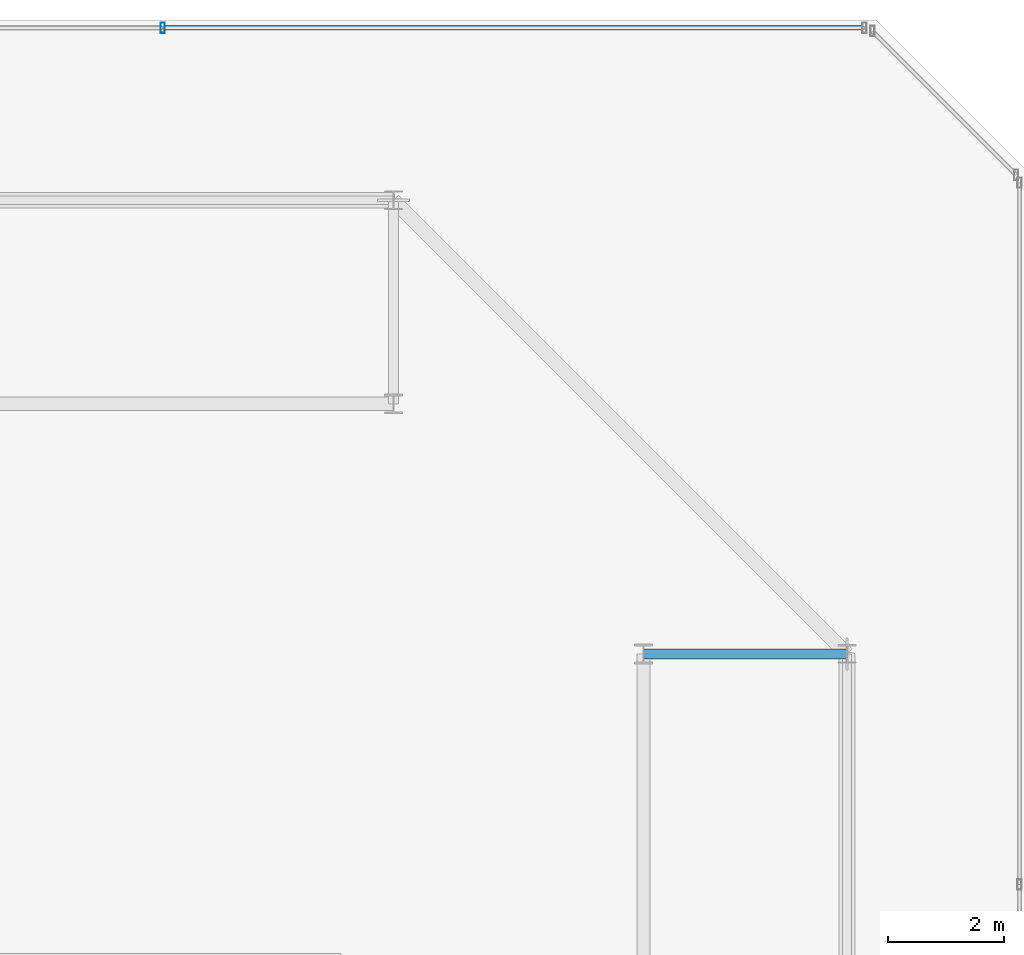
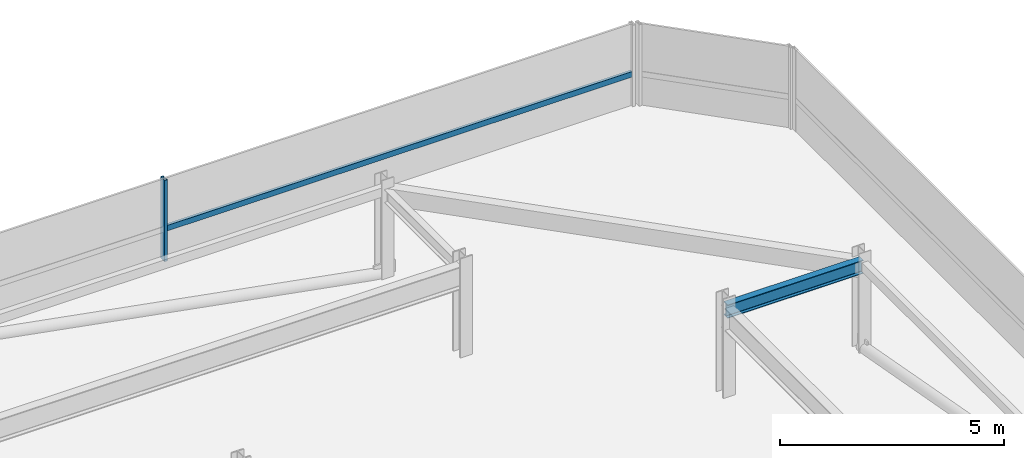
# One storey, part 35 of 42: 2 members, 1 beam, 1 element without a shape of its own.
"""IFC4 building model written with IfcOpenShell, lengths in metres."""

from ifc_helpers import new_model, si_unit, direction, frame, origin, origin_2d, place, context, subcontext, project, spatial, hollow_rectangle, i_section, extrude, material, material_profile, profile_set, type_object, element, aggregate, save


model = new_model("IFC4")

# Units and contexts
model_context = context("Model", 3, precision=1e-05, world=origin(), true_north=direction((0.0, 1.0)))
body_context = subcontext(model_context, "Body", "Model", "MODEL_VIEW")
ifc_project = project(units=[si_unit("LENGTHUNIT", "METRE"), si_unit("AREAUNIT", "SQUARE_METRE"), si_unit("VOLUMEUNIT", "CUBIC_METRE"), si_unit("PLANEANGLEUNIT", "RADIAN"), si_unit("MASSUNIT", "GRAM", prefix="KILO")], contexts=[model_context])

# Site, building, storey
site_placement = place(None, origin())
site = spatial("IfcSite", under=ifc_project, at=site_placement, CompositionType="ELEMENT")
building_placement = place(site_placement, origin())
building = spatial("IfcBuilding", under=site, at=building_placement, Name="Thornwick Lancets Civic Towers", CompositionType="ELEMENT")
storey_placement = place(building_placement, frame((0.0, 0.0, 289.5)))
storey = spatial("IfcBuildingStorey", under=building, at=storey_placement, Name="C04", CompositionType="ELEMENT", Elevation=289.5)

# Beam
ifc_material_1 = material(Name="Steel S355JR", Category="steel")
ifc_material_profile_1 = material_profile(ifc_material_1, i_section(OverallWidth=0.173095703125, OverallDepth=0.36328125, WebThickness=0.009033203125, FlangeThickness=0.015625, FilletRadius=0.01025390625, at=origin_2d()), Name="UKB 356x171x67")
ifc_profile_set_1 = profile_set([ifc_material_profile_1], Name="Steel S355JR")
beam_type = type_object("IfcBeamType", Name="BM_JOIST_356_67", PredefinedType="JOIST", material=ifc_profile_set_1)
beam_placement = place(storey_placement, frame((105.800048828125, 40.0, 2.25830078125), z_axis=(1.0, 0.0, 0.0), x_axis=(0.0, 1.0, 0.0)))
element("IfcBeam", 1, at=beam_placement, inside=storey, type_object=beam_type, Name="BM-RAD-C04-B03", PredefinedType="JOIST", context=body_context, shape_type="SweptSolid", body=[
    extrude(i_section(OverallWidth=0.173095703125, OverallDepth=0.36328125, WebThickness=0.009033203125, FlangeThickness=0.015625, FilletRadius=0.01025390625, at=origin_2d()), origin(), (0.0, 0.0, 1.0), 3.5),
])

# Curtain wall, members
ifc_material_2 = material(Name="Crown ring acoustic-louvre and glazing screen wall", Category="glass")
curtain_wall_type = type_object("IfcCurtainWallType", Name="CW_SYS_07", PredefinedType="NOTDEFINED", material=ifc_material_2)
curtain_wall_placement = place(storey_placement, origin())
curtain_wall = element("IfcCurtainWall", 2, at=curtain_wall_placement, inside=storey, type_object=curtain_wall_type, Name="C04 Curtain Wall CW-C04-B-E4", PredefinedType="NOTDEFINED")
ifc_material_3 = material(Name="Thermally broken bronze aluminium S355", Category="steel")
ifc_material_profile_2 = material_profile(ifc_material_3, hollow_rectangle(XDim=0.074951171875, YDim=0.179931640625, WallThickness=0.006103515625, at=origin_2d()), Name="RHS 180x75x6")
ifc_profile_set_2 = profile_set([ifc_material_profile_2], Name="Thermally broken bronze aluminium S355")
member_type_1 = type_object("IfcMemberType", Name="CW_MUL_180", PredefinedType="MULLION", material=ifc_profile_set_2)
member_1_placement = place(storey_placement, frame((97.53369140625, 50.7646484375, 0.0), z_axis=(0.0, 0.0, 1.0), x_axis=(1.0, 0.0, 0.0)))
member_1 = element("IfcMember", 3, at=member_1_placement, type_object=member_type_1, Name="CW-C04-B-E4 Mullion 1", PredefinedType="MULLION", context=body_context, shape_type="SweptSolid", body=[
    extrude(hollow_rectangle(XDim=0.074951171875, YDim=0.179931640625, WallThickness=0.006103515625, at=origin_2d()), origin(), (0.0, 0.0, 1.0), 2.219970703125),
])
ifc_material_profile_3 = material_profile(ifc_material_3, hollow_rectangle(XDim=0.074951171875, YDim=0.14990234375, WallThickness=0.0048828125, at=origin_2d()), Name="RHS 150x75x5")
ifc_profile_set_3 = profile_set([ifc_material_profile_3], Name="Thermally broken bronze aluminium S355")
member_type_2 = type_object("IfcMemberType", Name="CW_TRN_150", PredefinedType="USERDEFINED", material=ifc_profile_set_3)
member_2_placement = place(storey_placement, frame((109.581298828125, 50.7646484375, 0.85009765625), z_axis=(-1.0, 0.0, 0.0), x_axis=(0.0, -1.0, 0.0)))
member_2 = element("IfcMember", 4, at=member_2_placement, type_object=member_type_2, Name="CW-C04-B-E4 Transom 0", ObjectType="TRANSOM", PredefinedType="USERDEFINED", context=body_context, shape_type="SweptSolid", body=[
    extrude(hollow_rectangle(XDim=0.074951171875, YDim=0.14990234375, WallThickness=0.0048828125, at=origin_2d()), origin(), (0.0, 0.0, 1.0), 12.027587890625),
])
aggregate(curtain_wall, [member_1, member_2])

save(model, "model.ifc")
